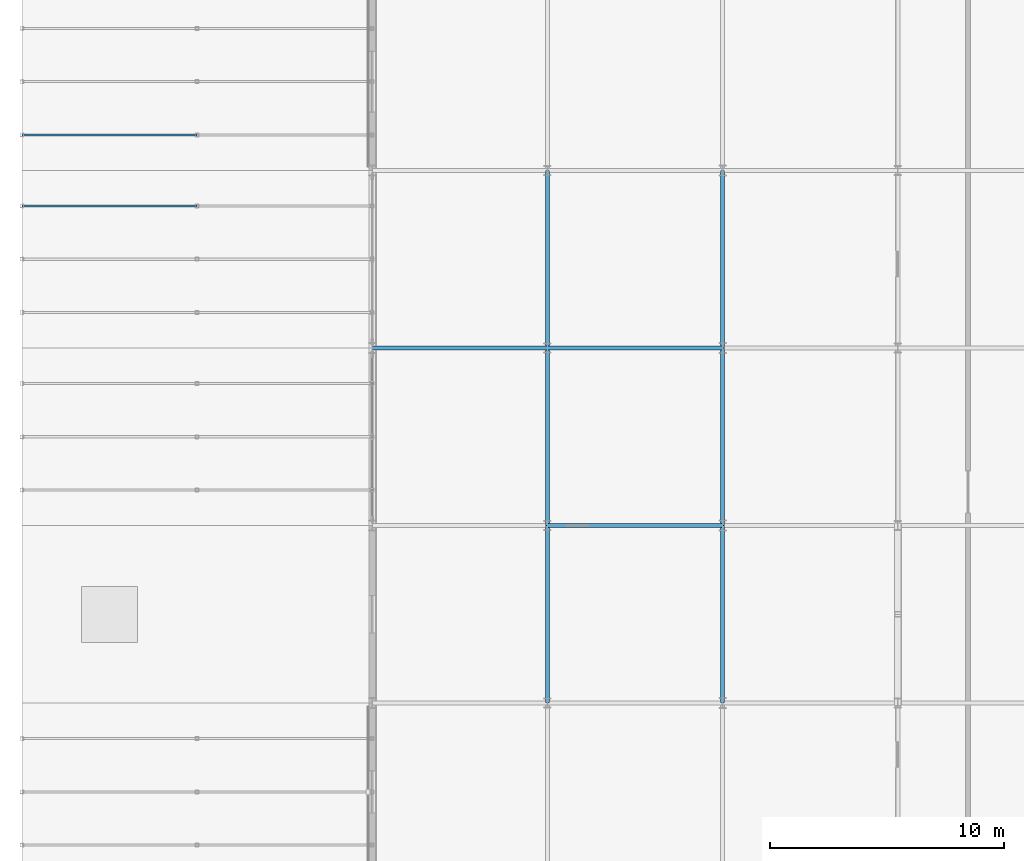
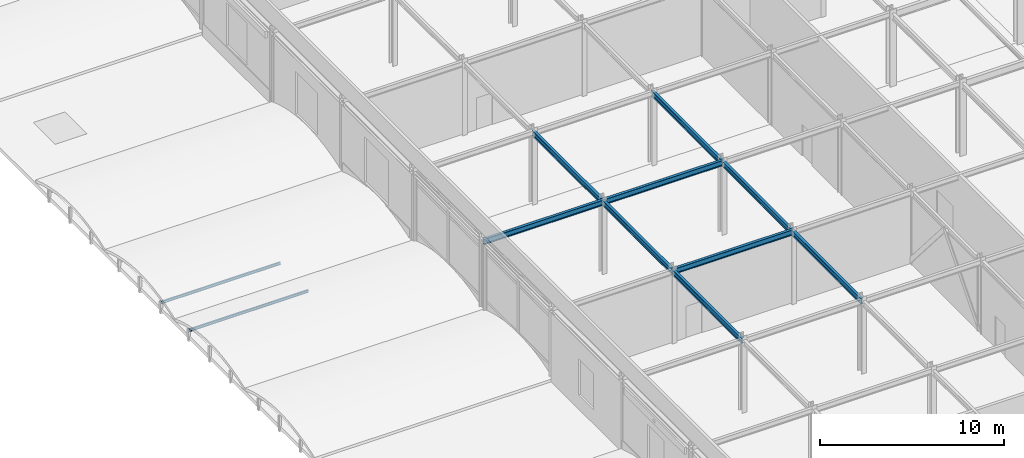
# One storey, part 21 of 113: 9 beams, 2 members.
"""IFC4 building model written with IfcOpenShell, lengths in metres."""

from ifc_helpers import new_model, si_unit, direction, frame, origin, origin_2d, place, context, subcontext, project, spatial, i_section, extrude, material, material_profile, profile_set, type_object, element, save


model = new_model("IFC4")

# Units and contexts
model_context = context("Model", 3, precision=1e-05, world=origin(), true_north=direction((0.0, 1.0)))
body_context = subcontext(model_context, "Body", "Model", "MODEL_VIEW")
ifc_project = project(units=[si_unit("LENGTHUNIT", "METRE"), si_unit("AREAUNIT", "SQUARE_METRE"), si_unit("VOLUMEUNIT", "CUBIC_METRE"), si_unit("PLANEANGLEUNIT", "RADIAN"), si_unit("MASSUNIT", "GRAM", prefix="KILO")], contexts=[model_context])

# Site, building, storey
site_placement = place(None, origin())
site = spatial("IfcSite", under=ifc_project, at=site_placement, CompositionType="ELEMENT")
building_placement = place(site_placement, origin())
building = spatial("IfcBuilding", under=site, at=building_placement, Name="Shalkamar Park Central Library", CompositionType="ELEMENT")
storey_placement = place(building_placement, frame((0.0, 0.0, 5.39990234375)))
storey = spatial("IfcBuildingStorey", under=building, at=storey_placement, Name="L02", CompositionType="ELEMENT", Elevation=5.39990234375)

# Beams
ifc_material = material(Name="Steel S355", Category="steel")
ifc_material_profile_1 = material_profile(ifc_material, i_section(OverallWidth=0.169921875, OverallDepth=0.360107421875, WebThickness=0.008056640625, FlangeThickness=0.0126953125, FilletRadius=0.01806640625, at=origin_2d()), Name="IPE 360")
ifc_profile_set_1 = profile_set([ifc_material_profile_1], Name="Steel S355")
beam_type = type_object("IfcBeamType", Name="Primary Girder IPE360", PredefinedType="BEAM", material=ifc_profile_set_1)
for number, where, z_axis, x_axis, name in (
    (1, (142.5, 278.0, 4.670166015625), (1.0, 0.0, 0.0), (0.0, 1.0, 0.0), "Beam F:04-05 (L02)"),
    (2, (135.0, 285.60009765625, 4.670166015625), (1.0, 0.0, 0.0), (0.0, 1.0, 0.0), "Beam G:03-04 (L02)"),
    (3, (142.5, 285.60009765625, 4.670166015625), (1.0, 0.0, 0.0), (0.0, 1.0, 0.0), "Beam G:04-05 (L02)"),
):
    element("IfcBeam", number, at=place(storey_placement, frame(where, z_axis=z_axis, x_axis=x_axis)), inside=storey, type_object=beam_type, Name=name, PredefinedType="BEAM", context=body_context, shape_type="SweptSolid", body=[
        extrude(i_section(OverallWidth=0.169921875, OverallDepth=0.360107421875, WebThickness=0.008056640625, FlangeThickness=0.0126953125, FilletRadius=0.01806640625, at=origin_2d()), origin(), (0.0, 0.0, 1.0), 7.5),
    ])
for number, where, z_axis, x_axis, name in (
    (4, (142.5, 270.39990234375, 4.670166015625), (0.0, 1.0, 0.0), (-1.0, 0.0, 0.0), "Beam 04:E-F (L02)"),
    (5, (142.5, 278.0, 4.670166015625), (0.0, 1.0, 0.0), (-1.0, 0.0, 0.0), "Beam 04:F-G (L02)"),
):
    element("IfcBeam", number, at=place(storey_placement, frame(where, z_axis=z_axis, x_axis=x_axis)), inside=storey, type_object=beam_type, Name=name, PredefinedType="BEAM", context=body_context, shape_type="SweptSolid", body=[
        extrude(i_section(OverallWidth=0.169921875, OverallDepth=0.360107421875, WebThickness=0.008056640625, FlangeThickness=0.0126953125, FilletRadius=0.01806640625, at=origin_2d()), origin(), (0.0, 0.0, 1.0), 7.60009765625),
    ])
beam_1_placement = place(storey_placement, frame((142.5, 285.60009765625, 4.670166015625), z_axis=(0.0, 1.0, 0.0), x_axis=(-1.0, 0.0, 0.0)))
element("IfcBeam", 6, at=beam_1_placement, inside=storey, type_object=beam_type, Name="Beam 04:G-H (L02)", PredefinedType="BEAM", context=body_context, shape_type="SweptSolid", body=[
    extrude(i_section(OverallWidth=0.169921875, OverallDepth=0.360107421875, WebThickness=0.008056640625, FlangeThickness=0.0126953125, FilletRadius=0.01806640625, at=origin_2d()), origin(), (0.0, 0.0, 1.0), 7.599853515625),
])
for number, where, z_axis, x_axis, name in (
    (7, (150.0, 270.39990234375, 4.670166015625), (0.0, 1.0, 0.0), (-1.0, 0.0, 0.0), "Beam 05:E-F (L02)"),
    (8, (150.0, 278.0, 4.670166015625), (0.0, 1.0, 0.0), (-1.0, 0.0, 0.0), "Beam 05:F-G (L02)"),
):
    element("IfcBeam", number, at=place(storey_placement, frame(where, z_axis=z_axis, x_axis=x_axis)), inside=storey, type_object=beam_type, Name=name, PredefinedType="BEAM", context=body_context, shape_type="SweptSolid", body=[
        extrude(i_section(OverallWidth=0.169921875, OverallDepth=0.360107421875, WebThickness=0.008056640625, FlangeThickness=0.0126953125, FilletRadius=0.01806640625, at=origin_2d()), origin(), (0.0, 0.0, 1.0), 7.60009765625),
    ])
beam_2_placement = place(storey_placement, frame((150.0, 285.60009765625, 4.670166015625), z_axis=(0.0, 1.0, 0.0), x_axis=(-1.0, 0.0, 0.0)))
element("IfcBeam", 9, at=beam_2_placement, inside=storey, type_object=beam_type, Name="Beam 05:G-H (L02)", PredefinedType="BEAM", context=body_context, shape_type="SweptSolid", body=[
    extrude(i_section(OverallWidth=0.169921875, OverallDepth=0.360107421875, WebThickness=0.008056640625, FlangeThickness=0.0126953125, FilletRadius=0.01806640625, at=origin_2d()), origin(), (0.0, 0.0, 1.0), 7.599853515625),
])

# Members
ifc_material_profile_2 = material_profile(ifc_material, i_section(OverallWidth=0.091064453125, OverallDepth=0.179931640625, WebThickness=0.00537109375, FlangeThickness=0.008056640625, FilletRadius=0.009033203125, at=origin_2d()), Name="IPE 180")
ifc_profile_set_2 = profile_set([ifc_material_profile_2], Name="Steel S355")
member_type = type_object("IfcMemberType", Name="Roof Purlin IPE180", PredefinedType="PURLIN", material=ifc_profile_set_2)
for number, where, z_axis, x_axis, name in (
    (10, (120.0, 291.679931640625, 0.330810546875), (1.0, 0.0, 0.0), (0.0, 1.0, 0.0), "Barrel Roof Purlin BV-L01-W5-3.01"),
    (11, (120.0, 294.719970703125, 0.330810546875), (1.0, 0.0, 0.0), (0.0, 1.0, 0.0), "Barrel Roof Purlin BV-L01-W6-1.01"),
):
    element("IfcMember", number, at=place(storey_placement, frame(where, z_axis=z_axis, x_axis=x_axis)), inside=storey, type_object=member_type, Name=name, PredefinedType="PURLIN", context=body_context, shape_type="SweptSolid", body=[
        extrude(i_section(OverallWidth=0.091064453125, OverallDepth=0.179931640625, WebThickness=0.00537109375, FlangeThickness=0.008056640625, FilletRadius=0.009033203125, at=origin_2d()), origin(), (0.0, 0.0, 1.0), 7.5),
    ])

save(model, "model.ifc")
